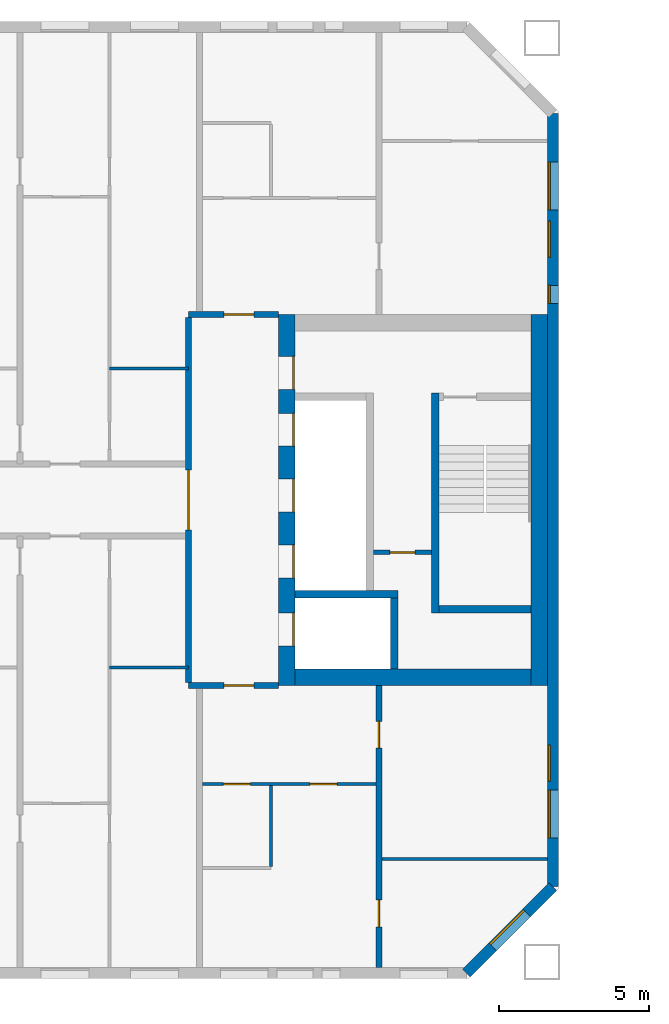
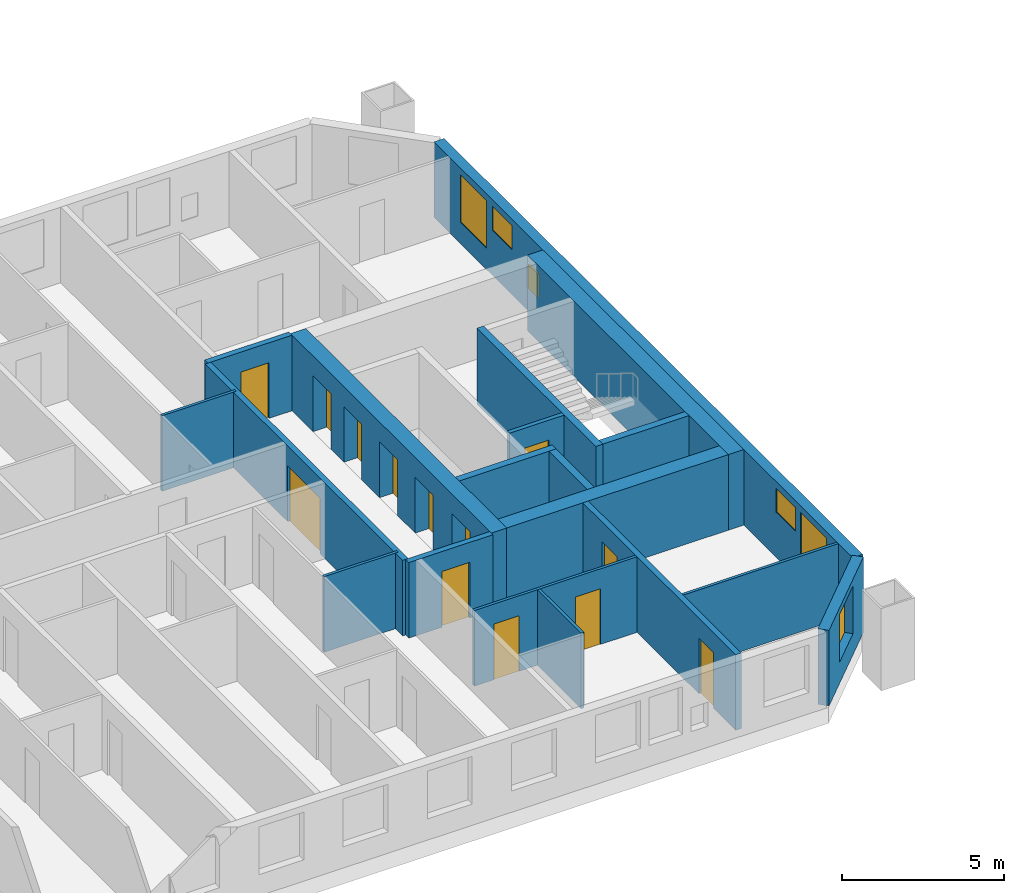
# One storey, part 7 of 17: 19 walls, 13 doors, 6 windows, 19 openings.
"""IFC4 building model written with IfcOpenShell, lengths in metres."""

from ifc_helpers import new_model, si_unit, direction, frame, frame_2d, origin, place, context, subcontext, project, spatial, rectangle, extrude, material, layer, layer_set, type_object, element, fill, save


model = new_model("IFC4")

# Units and contexts
model_context = context("Model", 3, precision=1e-05, world=origin(), true_north=direction((0.0, 1.0)))
body_context = subcontext(model_context, "Body", "Model", "MODEL_VIEW")
ifc_project = project(units=[si_unit("LENGTHUNIT", "METRE"), si_unit("AREAUNIT", "SQUARE_METRE"), si_unit("VOLUMEUNIT", "CUBIC_METRE"), si_unit("PLANEANGLEUNIT", "RADIAN"), si_unit("MASSUNIT", "GRAM", prefix="KILO")], contexts=[model_context])

# Site, building, storey
site_placement = place(None, origin())
site = spatial("IfcSite", under=ifc_project, at=site_placement, CompositionType="ELEMENT")
building_placement = place(site_placement, origin())
building = spatial("IfcBuilding", under=site, at=building_placement, Name="Tuart Gate Housing", CompositionType="ELEMENT")
storey_placement = place(building_placement, frame((0.0, 0.0, 123.699951171875)))
storey = spatial("IfcBuildingStorey", under=building, at=storey_placement, Name="L34", CompositionType="ELEMENT", Elevation=123.699951171875)

# Wall, opening, window
ifc_material_1 = material(Name="Brick", Category="masonry")
ifc_layer_1 = layer(ifc_material_1, 0.360107421875)
ifc_layer_set_1 = layer_set([ifc_layer_1], Name="Brick pier and spandrel wall 360")
wall_type_1 = type_object("IfcWallType", Name="Brick pier and spandrel wall 360", PredefinedType="STANDARD", material=ifc_layer_set_1)
wall_1_placement = place(storey_placement, frame((72.92529296875, 54.179931640625, 0.0), z_axis=(0.0, 0.0, 1.0), x_axis=(0.707106781187, 0.707106781187, 0.0)))
wall_1 = element("IfcWall", 1, at=wall_1_placement, inside=storey, type_object=wall_type_1, Name="External wall A-SE L34", PredefinedType="STANDARD", context=body_context, shape_type="SweptSolid", body=[
    extrude(rectangle(XDim=4.09375, YDim=0.360107421875, at=frame_2d((2.046875, 0.0))), origin(), (0.0, 0.0, 1.0), 2.85009765625),
])
opening_1_placement = place(wall_1_placement, frame((1.2470703125, 0.0, 0.800048828125)))
opening_1 = element("IfcOpeningElement", 2, at=opening_1_placement, cuts=wall_1, Name="Opening W1", PredefinedType="OPENING", context=body_context, shape_type="SweptSolid", body=[
    extrude(rectangle(XDim=1.60009765625, YDim=1.800048828125, at=frame_2d((0.800048828125, 0.89990234375))), frame((0.0, 0.18994140625, 0.0), z_axis=(0.0, -1.0, 0.0), x_axis=(1.0, 0.0, 0.0)), (0.0, 0.0, 1.0), 0.380126953125),
])
ifc_material_2 = material(Name="Aluminium frame with clear glass", Category="aluminium")
window_type_1 = type_object("IfcWindowType", Name="Punched window 1600 x 1800", PartitioningType="SINGLE_PANEL", PredefinedType="WINDOW", material=ifc_material_2)
window_1_placement = place(opening_1_placement, origin())
window_1 = element("IfcWindow", 3, at=window_1_placement, inside=storey, type_object=window_type_1, Name="Window W1", OverallHeight=1.800048828125, OverallWidth=1.60009765625, PartitioningType="SINGLE_PANEL", PredefinedType="WINDOW", context=body_context, shape_type="SweptSolid", body=[
    extrude(rectangle(XDim=1.60009765625, YDim=1.800048828125, at=frame_2d((0.800048828125, 0.89990234375))), frame((0.0, 0.150146484375, 0.0), z_axis=(0.0, -1.0, 0.0), x_axis=(1.0, 0.0, 0.0)), (0.0, 0.0, 1.0), 0.06005859375),
])
fill(opening_1, window_1)

# Wall, openings, windows
wall_2_placement = place(storey_placement, frame((75.820068359375, 57.07470703125, 0.0), z_axis=(0.0, 0.0, 1.0), x_axis=(0.0, 1.0, 0.0)))
wall_2 = element("IfcWall", 4, at=wall_2_placement, inside=storey, type_object=wall_type_1, Name="External wall A-E L34", PredefinedType="STANDARD", context=body_context, shape_type="SweptSolid", body=[
    extrude(rectangle(XDim=25.850830078125, YDim=0.360107421875, at=frame_2d((12.92529296875, 0.0))), origin(), (0.0, 0.0, 1.0), 2.85009765625),
])
opening_2_placement = place(wall_2_placement, frame((1.62548828125, 0.0, 0.800048828125)))
opening_2 = element("IfcOpeningElement", 5, at=opening_2_placement, cuts=wall_2, Name="Opening W1", PredefinedType="OPENING", context=body_context, shape_type="SweptSolid", body=[
    extrude(rectangle(XDim=1.60009765625, YDim=1.800048828125, at=frame_2d((0.800048828125, 0.89990234375))), frame((0.0, 0.18994140625, 0.0), z_axis=(0.0, -1.0, 0.0), x_axis=(1.0, 0.0, 0.0)), (0.0, 0.0, 1.0), 0.380126953125),
])
opening_3_placement = place(wall_2_placement, frame((3.525390625, 0.0, 1.699951171875)))
opening_3 = element("IfcOpeningElement", 6, at=opening_3_placement, cuts=wall_2, Name="Opening W1T", PredefinedType="OPENING", context=body_context, shape_type="SweptSolid", body=[
    extrude(rectangle(XDim=1.199951171875, YDim=0.89990234375, at=frame_2d((0.60009765625, 0.449951171875))), frame((0.0, 0.18994140625, 0.0), z_axis=(0.0, -1.0, 0.0), x_axis=(1.0, 0.0, 0.0)), (0.0, 0.0, 1.0), 0.380126953125),
])
opening_4_placement = place(wall_2_placement, frame((19.50048828125, 0.0, 0.800048828125)))
opening_4 = element("IfcOpeningElement", 7, at=opening_4_placement, cuts=wall_2, Name="Opening W1W", PredefinedType="OPENING", context=body_context, shape_type="SweptSolid", body=[
    extrude(rectangle(XDim=0.60009765625, YDim=0.89990234375, at=frame_2d((0.300048828125, 0.449951171875))), frame((0.0, 0.18994140625, 0.0), z_axis=(0.0, -1.0, 0.0), x_axis=(1.0, 0.0, 0.0)), (0.0, 0.0, 1.0), 0.380126953125),
])
opening_5_placement = place(wall_2_placement, frame((22.62548828125, 0.0, 0.800048828125)))
opening_5 = element("IfcOpeningElement", 8, at=opening_5_placement, cuts=wall_2, Name="Opening W1", PredefinedType="OPENING", context=body_context, shape_type="SweptSolid", body=[
    extrude(rectangle(XDim=1.60009765625, YDim=1.800048828125, at=frame_2d((0.800048828125, 0.89990234375))), frame((0.0, 0.18994140625, 0.0), z_axis=(0.0, -1.0, 0.0), x_axis=(1.0, 0.0, 0.0)), (0.0, 0.0, 1.0), 0.380126953125),
])
opening_6_placement = place(wall_2_placement, frame((21.05029296875, 0.0, 1.699951171875)))
opening_6 = element("IfcOpeningElement", 9, at=opening_6_placement, cuts=wall_2, Name="Opening W1T", PredefinedType="OPENING", context=body_context, shape_type="SweptSolid", body=[
    extrude(rectangle(XDim=1.199951171875, YDim=0.89990234375, at=frame_2d((0.60009765625, 0.449951171875))), frame((0.0, 0.18994140625, 0.0), z_axis=(0.0, -1.0, 0.0), x_axis=(1.0, 0.0, 0.0)), (0.0, 0.0, 1.0), 0.380126953125),
])
ifc_material_3 = material(Name="Aluminium frame with clear glass", Category="aluminium")
window_type_2 = type_object("IfcWindowType", Name="Punched window 1200 x 900", PartitioningType="SINGLE_PANEL", PredefinedType="WINDOW", material=ifc_material_3)
window_2_placement = place(opening_3_placement, origin())
window_2 = element("IfcWindow", 10, at=window_2_placement, inside=storey, type_object=window_type_2, Name="Window W1T", OverallHeight=0.89990234375, OverallWidth=1.199951171875, PartitioningType="SINGLE_PANEL", PredefinedType="WINDOW", context=body_context, shape_type="SweptSolid", body=[
    extrude(rectangle(XDim=1.199951171875, YDim=0.89990234375, at=frame_2d((0.60009765625, 0.449951171875))), frame((0.0, 0.150146484375, 0.0), z_axis=(0.0, -1.0, 0.0), x_axis=(1.0, 0.0, 0.0)), (0.0, 0.0, 1.0), 0.06005859375),
])
fill(opening_3, window_2)
window_3_placement = place(opening_6_placement, origin())
window_3 = element("IfcWindow", 11, at=window_3_placement, inside=storey, type_object=window_type_2, Name="Window W1T", OverallHeight=0.89990234375, OverallWidth=1.199951171875, PartitioningType="SINGLE_PANEL", PredefinedType="WINDOW", context=body_context, shape_type="SweptSolid", body=[
    extrude(rectangle(XDim=1.199951171875, YDim=0.89990234375, at=frame_2d((0.60009765625, 0.449951171875))), frame((0.0, 0.150146484375, 0.0), z_axis=(0.0, -1.0, 0.0), x_axis=(1.0, 0.0, 0.0)), (0.0, 0.0, 1.0), 0.06005859375),
])
fill(opening_6, window_3)
window_4_placement = place(opening_2_placement, origin())
window_4 = element("IfcWindow", 12, at=window_4_placement, inside=storey, type_object=window_type_1, Name="Window W1", OverallHeight=1.800048828125, OverallWidth=1.60009765625, PartitioningType="SINGLE_PANEL", PredefinedType="WINDOW", context=body_context, shape_type="SweptSolid", body=[
    extrude(rectangle(XDim=1.60009765625, YDim=1.800048828125, at=frame_2d((0.800048828125, 0.89990234375))), frame((0.0, 0.150146484375, 0.0), z_axis=(0.0, -1.0, 0.0), x_axis=(1.0, 0.0, 0.0)), (0.0, 0.0, 1.0), 0.06005859375),
])
fill(opening_2, window_4)
window_5_placement = place(opening_5_placement, origin())
window_5 = element("IfcWindow", 13, at=window_5_placement, inside=storey, type_object=window_type_1, Name="Window W1", OverallHeight=1.800048828125, OverallWidth=1.60009765625, PartitioningType="SINGLE_PANEL", PredefinedType="WINDOW", context=body_context, shape_type="SweptSolid", body=[
    extrude(rectangle(XDim=1.60009765625, YDim=1.800048828125, at=frame_2d((0.800048828125, 0.89990234375))), frame((0.0, 0.150146484375, 0.0), z_axis=(0.0, -1.0, 0.0), x_axis=(1.0, 0.0, 0.0)), (0.0, 0.0, 1.0), 0.06005859375),
])
fill(opening_5, window_5)
ifc_material_4 = material(Name="Aluminium frame with clear glass", Category="aluminium")
window_type_3 = type_object("IfcWindowType", Name="Punched window 600 x 900", PartitioningType="SINGLE_PANEL", PredefinedType="WINDOW", material=ifc_material_4)
window_6_placement = place(opening_4_placement, origin())
window_6 = element("IfcWindow", 14, at=window_6_placement, inside=storey, type_object=window_type_3, Name="Window W1W", OverallHeight=0.89990234375, OverallWidth=0.60009765625, PartitioningType="SINGLE_PANEL", PredefinedType="WINDOW", context=body_context, shape_type="SweptSolid", body=[
    extrude(rectangle(XDim=0.60009765625, YDim=0.89990234375, at=frame_2d((0.300048828125, 0.449951171875))), frame((0.0, 0.150146484375, 0.0), z_axis=(0.0, -1.0, 0.0), x_axis=(1.0, 0.0, 0.0)), (0.0, 0.0, 1.0), 0.06005859375),
])
fill(opening_4, window_6)

# Wall, opening, door
ifc_material_5 = material(Name="Plasterboard partition")
ifc_layer_2 = layer(ifc_material_5, 0.14990234375)
ifc_layer_set_2 = layer_set([ifc_layer_2], Name="Core partition 150")
wall_type_2 = type_object("IfcWallType", Name="Core partition 150", PredefinedType="PARTITIONING", material=ifc_layer_set_2)
wall_3_placement = place(storey_placement, frame((69.81494140625, 68.25, 0.0), z_axis=(0.0, 0.0, 1.0), x_axis=(1.0, 0.0, 0.0)))
wall_3 = element("IfcWall", 15, at=wall_3_placement, inside=storey, type_object=wall_type_2, Name="Core partition AG.3", PredefinedType="PARTITIONING", context=body_context, shape_type="SweptSolid", body=[
    extrude(rectangle(XDim=1.949951171875, YDim=0.14990234375, at=frame_2d((0.97509765625, 0.0))), origin(), (0.0, 0.0, 1.0), 2.85009765625),
])
opening_7_placement = place(wall_3_placement, frame((0.550048828125, 0.0, 0.0)))
opening_7 = element("IfcOpeningElement", 16, at=opening_7_placement, cuts=wall_3, Name="Opening D1327", PredefinedType="OPENING", context=body_context, shape_type="SweptSolid", body=[
    extrude(rectangle(XDim=0.85009765625, YDim=2.10009765625, at=frame_2d((0.425048828125, 1.050048828125))), frame((0.0, 0.0849609375, 0.0), z_axis=(0.0, -1.0, 0.0), x_axis=(1.0, 0.0, 0.0)), (0.0, 0.0, 1.0), 0.169921875),
])
ifc_material_6 = material(Name="Steel fire door", Category="steel")
door_type_1 = type_object("IfcDoorType", Name="Riser door 850 x 2100 RH", OperationType="SINGLE_SWING_RIGHT", PredefinedType="DOOR", material=ifc_material_6)
door_1_placement = place(opening_7_placement, frame((0.85009765625, 0.0, 0.0), z_axis=(0.0, 0.0, 1.0), x_axis=(-1.0, 0.0, 0.0)))
door_1 = element("IfcDoor", 17, at=door_1_placement, inside=storey, type_object=door_type_1, Name="Service room door AG.E1", OperationType="SINGLE_SWING_RIGHT", OverallHeight=2.10009765625, OverallWidth=0.85009765625, PredefinedType="DOOR", context=body_context, shape_type="SweptSolid", body=[
    extrude(rectangle(XDim=0.85009765625, YDim=2.10009765625, at=frame_2d((0.425048828125, 1.050048828125))), frame((0.0, 0.025146484375, 0.0), z_axis=(0.0, -1.0, 0.0), x_axis=(1.0, 0.0, 0.0)), (0.0, 0.0, 1.0), 0.050048828125),
])
fill(opening_7, door_1)

# Walls
ifc_material_7 = material(Name="Concrete C50", Category="concrete")
ifc_layer_3 = layer(ifc_material_7, 0.25)
ifc_layer_set_3 = layer_set([ifc_layer_3], Name="Core wall 250 C50")
wall_type_3 = type_object("IfcWallType", Name="Core wall 250 C50", PredefinedType="SHEAR", material=ifc_layer_set_3)
wall_4_placement = place(storey_placement, frame((72.014892578125, 66.35009765625, 0.0), z_axis=(0.0, 0.0, 1.0), x_axis=(1.0, 0.0, 0.0)))
element("IfcWall", 18, at=wall_4_placement, inside=storey, type_object=wall_type_3, Name="Core wall AG.1", PredefinedType="SHEAR", context=body_context, shape_type="SweptSolid", body=[
    extrude(rectangle(XDim=3.0751953125, YDim=0.25, at=frame_2d((1.53759765625, 0.0))), origin(), (0.0, 0.0, 1.0), 2.85009765625),
])
wall_5_placement = place(storey_placement, frame((67.18994140625, 66.85009765625, 0.0), z_axis=(0.0, 0.0, 1.0), x_axis=(1.0, 0.0, 0.0)))
element("IfcWall", 19, at=wall_5_placement, inside=storey, type_object=wall_type_3, Name="Core wall AG.2", PredefinedType="SHEAR", context=body_context, shape_type="SweptSolid", body=[
    extrude(rectangle(XDim=3.445068359375, YDim=0.25, at=frame_2d((1.72265625, 0.0))), origin(), (0.0, 0.0, 1.0), 2.85009765625),
])
wall_6_placement = place(storey_placement, frame((70.510009765625, 64.35009765625, 0.0), z_axis=(0.0, 0.0, 1.0), x_axis=(0.0, 1.0, 0.0)))
element("IfcWall", 20, at=wall_6_placement, inside=storey, type_object=wall_type_3, Name="Core wall AG.7", PredefinedType="SHEAR", context=body_context, shape_type="SweptSolid", body=[
    extrude(rectangle(XDim=2.375, YDim=0.25, at=frame_2d((1.1875, 0.0))), origin(), (0.0, 0.0, 1.0), 2.85009765625),
])
wall_7_placement = place(storey_placement, frame((71.889892578125, 66.22509765625, 0.0), z_axis=(0.0, 0.0, 1.0), x_axis=(0.0, 1.0, 0.0)))
element("IfcWall", 21, at=wall_7_placement, inside=storey, type_object=wall_type_3, Name="Core wall AG.8", PredefinedType="SHEAR", context=body_context, shape_type="SweptSolid", body=[
    extrude(rectangle(XDim=7.349853515625, YDim=0.25, at=frame_2d((3.6748046875, 0.0))), origin(), (0.0, 0.0, 1.0), 2.85009765625),
])

# Wall, openings, doors
ifc_material_8 = material(Name="Concrete C50", Category="concrete")
ifc_layer_4 = layer(ifc_material_8, 0.550048828125)
ifc_layer_set_4 = layer_set([ifc_layer_4], Name="Core wall 550 C50")
wall_type_4 = type_object("IfcWallType", Name="Core wall 550 C50", PredefinedType="SHEAR", material=ifc_layer_set_4)
wall_8_placement = place(storey_placement, frame((66.9150390625, 63.800048828125, 0.0), z_axis=(0.0, 0.0, 1.0), x_axis=(0.0, 1.0, 0.0)))
wall_8 = element("IfcWall", 22, at=wall_8_placement, inside=storey, type_object=wall_type_4, Name="Core wall AG front", PredefinedType="SHEAR", context=body_context, shape_type="SweptSolid", body=[
    extrude(rectangle(XDim=12.39990234375, YDim=0.550048828125, at=frame_2d((6.199951171875, 0.0))), origin(), (0.0, 0.0, 1.0), 2.85009765625),
])
opening_8_placement = place(wall_8_placement, frame((1.324951171875, 0.0, 0.0)))
opening_8 = element("IfcOpeningElement", 23, at=opening_8_placement, cuts=wall_8, Name="Opening LD-FA1", PredefinedType="OPENING", context=body_context, shape_type="SweptSolid", body=[
    extrude(rectangle(XDim=1.10009765625, YDim=2.10009765625, at=frame_2d((0.550048828125, 1.050048828125))), frame((0.0, 0.284912109375, 0.0), z_axis=(0.0, -1.0, 0.0), x_axis=(1.0, 0.0, 0.0)), (0.0, 0.0, 1.0), 0.570068359375),
])
opening_9_placement = place(wall_8_placement, frame((3.60009765625, 0.0, 0.0)))
opening_9 = element("IfcOpeningElement", 24, at=opening_9_placement, cuts=wall_8, Name="Opening LD-LA1", PredefinedType="OPENING", context=body_context, shape_type="SweptSolid", body=[
    extrude(rectangle(XDim=1.10009765625, YDim=2.10009765625, at=frame_2d((0.550048828125, 1.050048828125))), frame((0.0, 0.284912109375, 0.0), z_axis=(0.0, -1.0, 0.0), x_axis=(1.0, 0.0, 0.0)), (0.0, 0.0, 1.0), 0.570068359375),
])
opening_10_placement = place(wall_8_placement, frame((5.800048828125, 0.0, 0.0)))
opening_10 = element("IfcOpeningElement", 25, at=opening_10_placement, cuts=wall_8, Name="Opening LD-LA2", PredefinedType="OPENING", context=body_context, shape_type="SweptSolid", body=[
    extrude(rectangle(XDim=1.10009765625, YDim=2.10009765625, at=frame_2d((0.550048828125, 1.050048828125))), frame((0.0, 0.284912109375, 0.0), z_axis=(0.0, -1.0, 0.0), x_axis=(1.0, 0.0, 0.0)), (0.0, 0.0, 1.0), 0.570068359375),
])
opening_11_placement = place(wall_8_placement, frame((8.0, 0.0, 0.0)))
opening_11 = element("IfcOpeningElement", 26, at=opening_11_placement, cuts=wall_8, Name="Opening LD-LA3", PredefinedType="OPENING", context=body_context, shape_type="SweptSolid", body=[
    extrude(rectangle(XDim=1.10009765625, YDim=2.10009765625, at=frame_2d((0.550048828125, 1.050048828125))), frame((0.0, 0.284912109375, 0.0), z_axis=(0.0, -1.0, 0.0), x_axis=(1.0, 0.0, 0.0)), (0.0, 0.0, 1.0), 0.570068359375),
])
opening_12_placement = place(wall_8_placement, frame((9.89990234375, 0.0, 0.0)))
opening_12 = element("IfcOpeningElement", 27, at=opening_12_placement, cuts=wall_8, Name="Opening D1324", PredefinedType="OPENING", context=body_context, shape_type="SweptSolid", body=[
    extrude(rectangle(XDim=1.10009765625, YDim=2.10009765625, at=frame_2d((0.550048828125, 1.050048828125))), frame((0.0, 0.284912109375, 0.0), z_axis=(0.0, -1.0, 0.0), x_axis=(1.0, 0.0, 0.0)), (0.0, 0.0, 1.0), 0.570068359375),
])
ifc_material_9 = material(Name="Stainless steel", Category="steel")
door_type_2 = type_object("IfcDoorType", Name="Landing door 1100 x 2100", OperationType="DOUBLE_DOOR_SLIDING", PredefinedType="DOOR", material=ifc_material_9)
door_2_placement = place(opening_8_placement, origin())
door_2 = element("IfcDoor", 28, at=door_2_placement, inside=storey, type_object=door_type_2, Name="Lift landing door FA1", OperationType="DOUBLE_DOOR_SLIDING", OverallHeight=2.10009765625, OverallWidth=1.10009765625, PredefinedType="DOOR", context=body_context, shape_type="SweptSolid", body=[
    extrude(rectangle(XDim=1.10009765625, YDim=2.10009765625, at=frame_2d((0.550048828125, 1.050048828125))), frame((0.0, -0.2099609375, 0.0), z_axis=(0.0, -1.0, 0.0), x_axis=(1.0, 0.0, 0.0)), (0.0, 0.0, 1.0), 0.050048828125),
])
fill(opening_8, door_2)
door_3_placement = place(opening_9_placement, origin())
door_3 = element("IfcDoor", 29, at=door_3_placement, inside=storey, type_object=door_type_2, Name="Lift landing door LA1", OperationType="DOUBLE_DOOR_SLIDING", OverallHeight=2.10009765625, OverallWidth=1.10009765625, PredefinedType="DOOR", context=body_context, shape_type="SweptSolid", body=[
    extrude(rectangle(XDim=1.10009765625, YDim=2.10009765625, at=frame_2d((0.550048828125, 1.050048828125))), frame((0.0, -0.2099609375, 0.0), z_axis=(0.0, -1.0, 0.0), x_axis=(1.0, 0.0, 0.0)), (0.0, 0.0, 1.0), 0.050048828125),
])
fill(opening_9, door_3)
door_4_placement = place(opening_10_placement, origin())
door_4 = element("IfcDoor", 30, at=door_4_placement, inside=storey, type_object=door_type_2, Name="Lift landing door LA2", OperationType="DOUBLE_DOOR_SLIDING", OverallHeight=2.10009765625, OverallWidth=1.10009765625, PredefinedType="DOOR", context=body_context, shape_type="SweptSolid", body=[
    extrude(rectangle(XDim=1.10009765625, YDim=2.10009765625, at=frame_2d((0.550048828125, 1.050048828125))), frame((0.0, -0.2099609375, 0.0), z_axis=(0.0, -1.0, 0.0), x_axis=(1.0, 0.0, 0.0)), (0.0, 0.0, 1.0), 0.050048828125),
])
fill(opening_10, door_4)
door_5_placement = place(opening_11_placement, origin())
door_5 = element("IfcDoor", 31, at=door_5_placement, inside=storey, type_object=door_type_2, Name="Lift landing door LA3", OperationType="DOUBLE_DOOR_SLIDING", OverallHeight=2.10009765625, OverallWidth=1.10009765625, PredefinedType="DOOR", context=body_context, shape_type="SweptSolid", body=[
    extrude(rectangle(XDim=1.10009765625, YDim=2.10009765625, at=frame_2d((0.550048828125, 1.050048828125))), frame((0.0, -0.2099609375, 0.0), z_axis=(0.0, -1.0, 0.0), x_axis=(1.0, 0.0, 0.0)), (0.0, 0.0, 1.0), 0.050048828125),
])
fill(opening_11, door_5)
ifc_material_10 = material(Name="Steel fire door", Category="steel")
door_type_3 = type_object("IfcDoorType", Name="Lobby door 1100 x 2100 RH", OperationType="SINGLE_SWING_RIGHT", PredefinedType="DOOR", material=ifc_material_10)
door_6_placement = place(opening_12_placement, frame((1.10009765625, 0.0, 0.0), z_axis=(0.0, 0.0, 1.0), x_axis=(-1.0, 0.0, 0.0)))
door_6 = element("IfcDoor", 32, at=door_6_placement, inside=storey, type_object=door_type_3, Name="Lobby entry door AG.EN", OperationType="SINGLE_SWING_RIGHT", OverallHeight=2.10009765625, OverallWidth=1.10009765625, PredefinedType="DOOR", context=body_context, shape_type="SweptSolid", body=[
    extrude(rectangle(XDim=1.10009765625, YDim=2.10009765625, at=frame_2d((0.550048828125, 1.050048828125))), frame((0.0, 0.260009765625, 0.0), z_axis=(0.0, -1.0, 0.0), x_axis=(1.0, 0.0, 0.0)), (0.0, 0.0, 1.0), 0.050048828125),
])
fill(opening_12, door_6)

# Walls
wall_9_placement = place(storey_placement, frame((75.364990234375, 63.800048828125, 0.0), z_axis=(0.0, 0.0, 1.0), x_axis=(0.0, 1.0, 0.0)))
element("IfcWall", 33, at=wall_9_placement, inside=storey, type_object=wall_type_4, Name="Core wall AG back", PredefinedType="SHEAR", context=body_context, shape_type="SweptSolid", body=[
    extrude(rectangle(XDim=12.39990234375, YDim=0.550048828125, at=frame_2d((6.199951171875, 0.0))), origin(), (0.0, 0.0, 1.0), 2.85009765625),
])
wall_10_placement = place(storey_placement, frame((67.18994140625, 64.074951171875, 0.0), z_axis=(0.0, 0.0, 1.0), x_axis=(1.0, 0.0, 0.0)))
element("IfcWall", 34, at=wall_10_placement, inside=storey, type_object=wall_type_4, Name="Core wall AG south", PredefinedType="SHEAR", context=body_context, shape_type="SweptSolid", body=[
    extrude(rectangle(XDim=7.900146484375, YDim=0.550048828125, at=frame_2d((3.9501953125, 0.0))), origin(), (0.0, 0.0, 1.0), 2.85009765625),
])

# Wall, opening, door
ifc_material_11 = material(Name="Concrete masonry 15 MPa", Category="masonry")
ifc_layer_5 = layer(ifc_material_11, 0.199951171875)
ifc_layer_set_5 = layer_set([ifc_layer_5], Name="Enclosure wall masonry 200")
wall_type_5 = type_object("IfcWallType", Name="Enclosure wall masonry 200", PredefinedType="PARTITIONING", material=ifc_layer_set_5)
wall_11_placement = place(storey_placement, frame((63.639892578125, 63.800048828125, 0.0), z_axis=(0.0, 0.0, 1.0), x_axis=(1.0, 0.0, 0.0)))
wall_11 = element("IfcWall", 35, at=wall_11_placement, inside=storey, type_object=wall_type_5, Name="Enclosure wall masonry 200", PredefinedType="PARTITIONING", context=body_context, shape_type="SweptSolid", body=[
    extrude(rectangle(XDim=3.0, YDim=0.199951171875, at=frame_2d((1.5, 0.0))), origin(), (0.0, 0.0, 1.0), 2.85009765625),
])
opening_13_placement = place(wall_11_placement, frame((1.179931640625, 0.0, 0.0)))
opening_13 = element("IfcOpeningElement", 36, at=opening_13_placement, cuts=wall_11, Name="Opening D1330", PredefinedType="OPENING", context=body_context, shape_type="SweptSolid", body=[
    extrude(rectangle(XDim=1.0, YDim=2.10009765625, at=frame_2d((0.5, 1.050048828125))), frame((0.0, 0.10986328125, 0.0), z_axis=(0.0, -1.0, 0.0), x_axis=(1.0, 0.0, 0.0)), (0.0, 0.0, 1.0), 0.219970703125),
])
ifc_material_12 = material(Name="Timber door leaf in steel frame", Category="steel")
door_type_4 = type_object("IfcDoorType", Name="Flat entrance door 1000 RH", OperationType="SINGLE_SWING_RIGHT", PredefinedType="DOOR", material=ifc_material_12)
door_7_placement = place(opening_13_placement, frame((1.0, 0.0, 0.0), z_axis=(0.0, 0.0, 1.0), x_axis=(-1.0, 0.0, 0.0)))
door_7 = element("IfcDoor", 37, at=door_7_placement, inside=storey, type_object=door_type_4, Name="Flat entrance door", OperationType="SINGLE_SWING_RIGHT", OverallHeight=2.10009765625, OverallWidth=1.0, PredefinedType="DOOR", context=body_context, shape_type="SweptSolid", body=[
    extrude(rectangle(XDim=1.0, YDim=2.10009765625, at=frame_2d((0.5, 1.050048828125))), frame((0.0, 0.025146484375, 0.0), z_axis=(0.0, -1.0, 0.0), x_axis=(1.0, 0.0, 0.0)), (0.0, 0.0, 1.0), 0.050048828125),
])
fill(opening_13, door_7)

wall_12_placement = place(storey_placement, frame((63.639892578125, 76.199951171875, 0.0), z_axis=(0.0, 0.0, 1.0), x_axis=(1.0, 0.0, 0.0)))
wall_12 = element("IfcWall", 38, at=wall_12_placement, inside=storey, type_object=wall_type_5, Name="Enclosure wall masonry 200", PredefinedType="PARTITIONING", context=body_context, shape_type="SweptSolid", body=[
    extrude(rectangle(XDim=3.0, YDim=0.199951171875, at=frame_2d((1.5, 0.0))), origin(), (0.0, 0.0, 1.0), 2.85009765625),
])
opening_14_placement = place(wall_12_placement, frame((1.179931640625, 0.0, 0.0)))
opening_14 = element("IfcOpeningElement", 39, at=opening_14_placement, cuts=wall_12, Name="Opening D1311", PredefinedType="OPENING", context=body_context, shape_type="SweptSolid", body=[
    extrude(rectangle(XDim=1.0, YDim=2.10009765625, at=frame_2d((0.5, 1.050048828125))), frame((0.0, 0.10986328125, 0.0), z_axis=(0.0, -1.0, 0.0), x_axis=(1.0, 0.0, 0.0)), (0.0, 0.0, 1.0), 0.219970703125),
])
ifc_material_13 = material(Name="Timber door leaf in steel frame", Category="steel")
door_type_5 = type_object("IfcDoorType", Name="Flat entrance door 1000", OperationType="SINGLE_SWING_LEFT", PredefinedType="DOOR", material=ifc_material_13)
door_8_placement = place(opening_14_placement, origin())
door_8 = element("IfcDoor", 40, at=door_8_placement, inside=storey, type_object=door_type_5, Name="Flat entrance door", OperationType="SINGLE_SWING_LEFT", OverallHeight=2.10009765625, OverallWidth=1.0, PredefinedType="DOOR", context=body_context, shape_type="SweptSolid", body=[
    extrude(rectangle(XDim=1.0, YDim=2.10009765625, at=frame_2d((0.5, 1.050048828125))), frame((0.0, 0.02490234375, 0.0), z_axis=(0.0, -1.0, 0.0), x_axis=(1.0, 0.0, 0.0)), (0.0, 0.0, 1.0), 0.050048828125),
])
fill(opening_14, door_8)

ifc_material_14 = material(Name="Plasterboard partition")
ifc_layer_6 = layer(ifc_material_14, 0.199951171875)
ifc_layer_set_6 = layer_set([ifc_layer_6], Name="Lobby wall 200")
wall_type_6 = type_object("IfcWallType", Name="Lobby wall 200", PredefinedType="PARTITIONING", material=ifc_layer_set_6)
wall_13_placement = place(storey_placement, frame((63.639892578125, 63.89990234375, 0.0), z_axis=(0.0, 0.0, 1.0), x_axis=(0.0, 1.0, 0.0)))
wall_13 = element("IfcWall", 41, at=wall_13_placement, inside=storey, type_object=wall_type_6, Name="Lift lobby wall AG", PredefinedType="PARTITIONING", context=body_context, shape_type="SweptSolid", body=[
    extrude(rectangle(XDim=12.2001953125, YDim=0.199951171875, at=frame_2d((6.10009765625, 0.0))), origin(), (0.0, 0.0, 1.0), 2.85009765625),
])
opening_15_placement = place(wall_13_placement, frame((5.10009765625, 0.0, 0.0)))
opening_15 = element("IfcOpeningElement", 42, at=opening_15_placement, cuts=wall_13, Name="Opening D1323", PredefinedType="OPENING", context=body_context, shape_type="SweptSolid", body=[
    extrude(rectangle(XDim=2.0, YDim=2.10009765625, at=frame_2d((1.0, 1.050048828125))), frame((0.0, 0.10986328125, 0.0), z_axis=(0.0, -1.0, 0.0), x_axis=(1.0, 0.0, 0.0)), (0.0, 0.0, 1.0), 0.219970703125),
])
ifc_material_15 = material(Name="Steel fire door", Category="steel")
door_type_6 = type_object("IfcDoorType", Name="Smoke door 2000 x 2100", OperationType="DOUBLE_DOOR_SINGLE_SWING", PredefinedType="DOOR", material=ifc_material_15)
door_9_placement = place(opening_15_placement, frame((2.0, 0.0, 0.0), z_axis=(0.0, 0.0, 1.0), x_axis=(-1.0, 0.0, 0.0)))
door_9 = element("IfcDoor", 43, at=door_9_placement, inside=storey, type_object=door_type_6, Name="Lift lobby smoke door AG", OperationType="DOUBLE_DOOR_SINGLE_SWING", OverallHeight=2.10009765625, OverallWidth=2.0, PredefinedType="DOOR", context=body_context, shape_type="SweptSolid", body=[
    extrude(rectangle(XDim=2.0, YDim=2.10009765625, at=frame_2d((1.0, 1.050048828125))), frame((0.0, 0.025146484375, 0.0), z_axis=(0.0, -1.0, 0.0), x_axis=(1.0, 0.0, 0.0)), (0.0, 0.0, 1.0), 0.050048828125),
])
fill(opening_15, door_9)

# Wall
ifc_material_16 = material(Name="Gypsum board on steel studs", Category="steel")
ifc_layer_7 = layer(ifc_material_16, 0.10009765625)
ifc_layer_set_7 = layer_set([ifc_layer_7], Name="Partition 100")
wall_type_7 = type_object("IfcWallType", Name="Partition 100", PredefinedType="PARTITIONING", material=ifc_layer_set_7)
wall_14_placement = place(storey_placement, frame((70.10009765625, 58.0, 0.0), z_axis=(0.0, 0.0, 1.0), x_axis=(1.0, 0.0, 0.0)))
element("IfcWall", 44, at=wall_14_placement, inside=storey, type_object=wall_type_7, Name="Partition 100", PredefinedType="PARTITIONING", context=body_context, shape_type="SweptSolid", body=[
    extrude(rectangle(XDim=5.539794921875, YDim=0.10009765625, at=frame_2d((2.77001953125, 0.0))), origin(), (0.0, 0.0, 1.0), 2.85009765625),
])

# Wall, openings, doors
wall_15_placement = place(storey_placement, frame((64.10009765625, 60.5, 0.0), z_axis=(0.0, 0.0, 1.0), x_axis=(1.0, 0.0, 0.0)))
wall_15 = element("IfcWall", 45, at=wall_15_placement, inside=storey, type_object=wall_type_7, Name="Partition 100", PredefinedType="PARTITIONING", context=body_context, shape_type="SweptSolid", body=[
    extrude(rectangle(XDim=5.7998046875, YDim=0.10009765625, at=frame_2d((2.89990234375, 0.0))), origin(), (0.0, 0.0, 1.0), 2.85009765625),
])
opening_16_placement = place(wall_15_placement, frame((3.60009765625, 0.0, 0.0)))
opening_16 = element("IfcOpeningElement", 46, at=opening_16_placement, cuts=wall_15, Name="Opening D1344", PredefinedType="OPENING", context=body_context, shape_type="SweptSolid", body=[
    extrude(rectangle(XDim=0.89990234375, YDim=2.10009765625, at=frame_2d((0.449951171875, 1.050048828125))), frame((0.0, 0.06005859375, 0.0), z_axis=(0.0, -1.0, 0.0), x_axis=(1.0, 0.0, 0.0)), (0.0, 0.0, 1.0), 0.1201171875),
])
opening_17_placement = place(wall_15_placement, frame((0.699951171875, 0.0, 0.0)))
opening_17 = element("IfcOpeningElement", 47, at=opening_17_placement, cuts=wall_15, Name="Opening D1343", PredefinedType="OPENING", context=body_context, shape_type="SweptSolid", body=[
    extrude(rectangle(XDim=0.89990234375, YDim=2.10009765625, at=frame_2d((0.449951171875, 1.050048828125))), frame((0.0, 0.06005859375, 0.0), z_axis=(0.0, -1.0, 0.0), x_axis=(1.0, 0.0, 0.0)), (0.0, 0.0, 1.0), 0.1201171875),
])
ifc_material_17 = material(Name="Timber door leaf in steel frame", Category="steel")
door_type_7 = type_object("IfcDoorType", Name="Bathroom door 900", OperationType="SINGLE_SWING_LEFT", PredefinedType="DOOR", material=ifc_material_17)
door_10_placement = place(opening_17_placement, frame((0.89990234375, 0.0, 0.0), z_axis=(0.0, 0.0, 1.0), x_axis=(-1.0, 0.0, 0.0)))
door_10 = element("IfcDoor", 48, at=door_10_placement, inside=storey, type_object=door_type_7, Name="Bathroom door", OperationType="SINGLE_SWING_LEFT", OverallHeight=2.10009765625, OverallWidth=0.89990234375, PredefinedType="DOOR", context=body_context, shape_type="SweptSolid", body=[
    extrude(rectangle(XDim=0.89990234375, YDim=2.10009765625, at=frame_2d((0.449951171875, 1.050048828125))), frame((0.0, 0.025146484375, 0.0), z_axis=(0.0, -1.0, 0.0), x_axis=(1.0, 0.0, 0.0)), (0.0, 0.0, 1.0), 0.050048828125),
])
fill(opening_17, door_10)
ifc_material_18 = material(Name="Timber door leaf in steel frame", Category="steel")
door_type_8 = type_object("IfcDoorType", Name="Internal door 900 RH", OperationType="SINGLE_SWING_RIGHT", PredefinedType="DOOR", material=ifc_material_18)
door_11_placement = place(opening_16_placement, origin())
door_11 = element("IfcDoor", 49, at=door_11_placement, inside=storey, type_object=door_type_8, Name="Internal door", OperationType="SINGLE_SWING_RIGHT", OverallHeight=2.10009765625, OverallWidth=0.89990234375, PredefinedType="DOOR", context=body_context, shape_type="SweptSolid", body=[
    extrude(rectangle(XDim=0.89990234375, YDim=2.10009765625, at=frame_2d((0.449951171875, 1.050048828125))), frame((0.0, 0.02490234375, 0.0), z_axis=(0.0, -1.0, 0.0), x_axis=(1.0, 0.0, 0.0)), (0.0, 0.0, 1.0), 0.050048828125),
])
fill(opening_16, door_11)

# Walls
for number, where, z_axis, x_axis, name in (
    (50, (61.0, 64.39990234375, 0.0), (0.0, 0.0, 1.0), (1.0, 0.0, 0.0), "Partition 100"),
    (51, (61.0, 74.39990234375, 0.0), (0.0, 0.0, 1.0), (1.0, 0.0, 0.0), "Partition 100"),
):
    element("IfcWall", number, at=place(storey_placement, frame(where, z_axis=z_axis, x_axis=x_axis)), inside=storey, type_object=wall_type_7, Name=name, PredefinedType="PARTITIONING", context=body_context, shape_type="SweptSolid", body=[
        extrude(rectangle(XDim=2.639892578125, YDim=0.10009765625, at=frame_2d((1.31982421875, 0.0))), origin(), (0.0, 0.0, 1.0), 2.85009765625),
    ])
wall_16_placement = place(storey_placement, frame((66.39990234375, 57.75, 0.0), z_axis=(0.0, 0.0, 1.0), x_axis=(0.0, 1.0, 0.0)))
element("IfcWall", 52, at=wall_16_placement, inside=storey, type_object=wall_type_7, Name="Partition 100", PredefinedType="PARTITIONING", context=body_context, shape_type="SweptSolid", body=[
    extrude(rectangle(XDim=2.699951171875, YDim=0.10009765625, at=frame_2d((1.35009765625, 0.0))), origin(), (0.0, 0.0, 1.0), 2.85009765625),
])

# Wall, openings, doors
ifc_material_19 = material(Name="Concrete C40", Category="concrete")
ifc_layer_8 = layer(ifc_material_19, 0.199951171875)
ifc_layer_set_8 = layer_set([ifc_layer_8], Name="Party wall concrete C40 200")
wall_type_8 = type_object("IfcWallType", Name="Party wall concrete C40 200", PredefinedType="SOLIDWALL", material=ifc_layer_set_8)
wall_17_placement = place(storey_placement, frame((70.0, 54.360107421875, 0.0), z_axis=(0.0, 0.0, 1.0), x_axis=(0.0, 1.0, 0.0)))
wall_17 = element("IfcWall", 53, at=wall_17_placement, inside=storey, type_object=wall_type_8, Name="Party wall concrete C40 200", PredefinedType="SOLIDWALL", context=body_context, shape_type="SweptSolid", body=[
    extrude(rectangle(XDim=9.43994140625, YDim=0.199951171875, at=frame_2d((4.719970703125, 0.0))), origin(), (0.0, 0.0, 1.0), 2.85009765625),
])
opening_18_placement = place(wall_17_placement, frame((1.3701171875, 0.0, 0.0)))
opening_18 = element("IfcOpeningElement", 54, at=opening_18_placement, cuts=wall_17, Name="Opening D1349", PredefinedType="OPENING", context=body_context, shape_type="SweptSolid", body=[
    extrude(rectangle(XDim=0.89990234375, YDim=2.10009765625, at=frame_2d((0.449951171875, 1.050048828125))), frame((0.0, 0.10986328125, 0.0), z_axis=(0.0, -1.0, 0.0), x_axis=(1.0, 0.0, 0.0)), (0.0, 0.0, 1.0), 0.219970703125),
])
opening_19_placement = place(wall_17_placement, frame((7.340087890625, 0.0, 0.0)))
opening_19 = element("IfcOpeningElement", 55, at=opening_19_placement, cuts=wall_17, Name="Opening D1350", PredefinedType="OPENING", context=body_context, shape_type="SweptSolid", body=[
    extrude(rectangle(XDim=0.89990234375, YDim=2.10009765625, at=frame_2d((0.449951171875, 1.050048828125))), frame((0.0, 0.10986328125, 0.0), z_axis=(0.0, -1.0, 0.0), x_axis=(1.0, 0.0, 0.0)), (0.0, 0.0, 1.0), 0.219970703125),
])
ifc_material_20 = material(Name="Timber door leaf in steel frame", Category="steel")
door_type_9 = type_object("IfcDoorType", Name="Internal door 900", OperationType="SINGLE_SWING_LEFT", PredefinedType="DOOR", material=ifc_material_20)
door_12_placement = place(opening_19_placement, frame((0.89990234375, 0.0, 0.0), z_axis=(0.0, 0.0, 1.0), x_axis=(-1.0, 0.0, 0.0)))
door_12 = element("IfcDoor", 56, at=door_12_placement, inside=storey, type_object=door_type_9, Name="Internal door", OperationType="SINGLE_SWING_LEFT", OverallHeight=2.10009765625, OverallWidth=0.89990234375, PredefinedType="DOOR", context=body_context, shape_type="SweptSolid", body=[
    extrude(rectangle(XDim=0.89990234375, YDim=2.10009765625, at=frame_2d((0.449951171875, 1.050048828125))), frame((0.0, 0.025146484375, 0.0), z_axis=(0.0, -1.0, 0.0), x_axis=(1.0, 0.0, 0.0)), (0.0, 0.0, 1.0), 0.050048828125),
])
fill(opening_19, door_12)
door_13_placement = place(opening_18_placement, frame((0.89990234375, 0.0, 0.0), z_axis=(0.0, 0.0, 1.0), x_axis=(-1.0, 0.0, 0.0)))
door_13 = element("IfcDoor", 57, at=door_13_placement, inside=storey, type_object=door_type_8, Name="Internal door", OperationType="SINGLE_SWING_RIGHT", OverallHeight=2.10009765625, OverallWidth=0.89990234375, PredefinedType="DOOR", context=body_context, shape_type="SweptSolid", body=[
    extrude(rectangle(XDim=0.89990234375, YDim=2.10009765625, at=frame_2d((0.449951171875, 1.050048828125))), frame((0.0, 0.025146484375, 0.0), z_axis=(0.0, -1.0, 0.0), x_axis=(1.0, 0.0, 0.0)), (0.0, 0.0, 1.0), 0.050048828125),
])
fill(opening_18, door_13)

save(model, "model.ifc")
